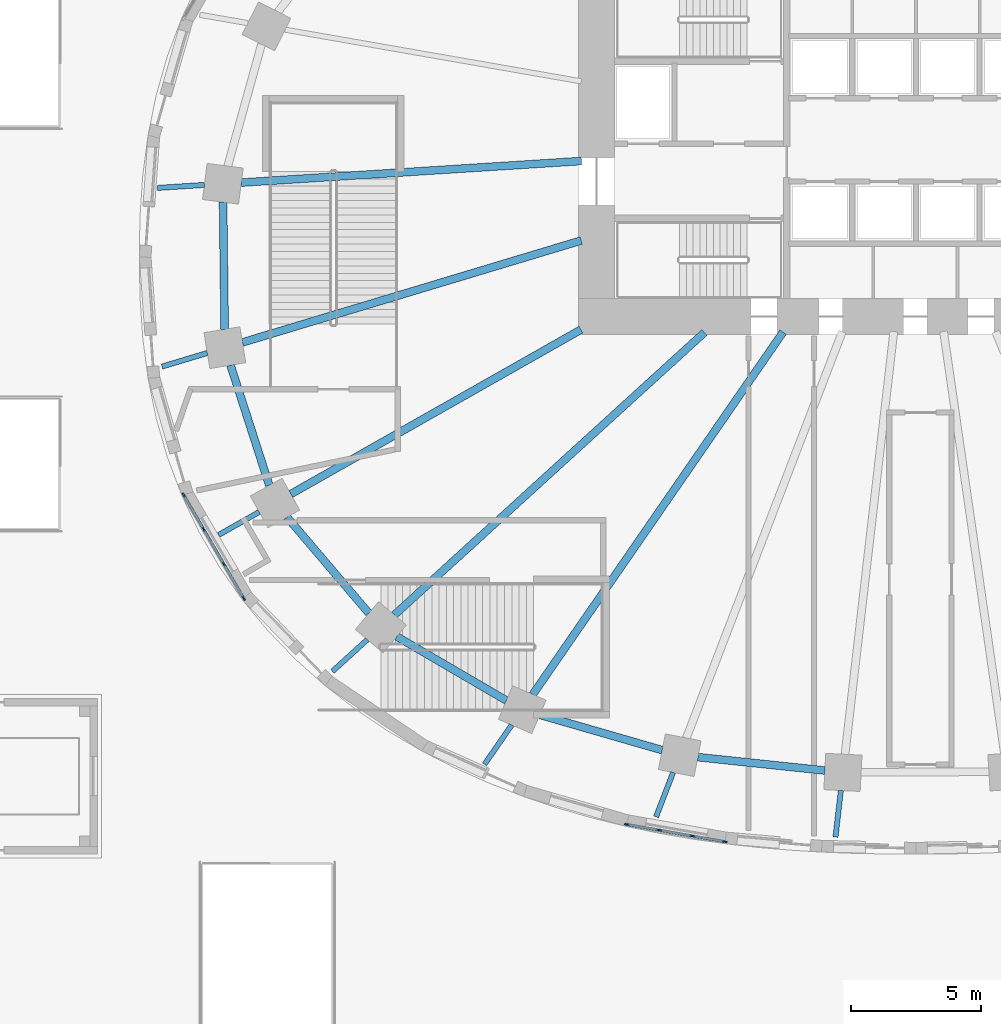
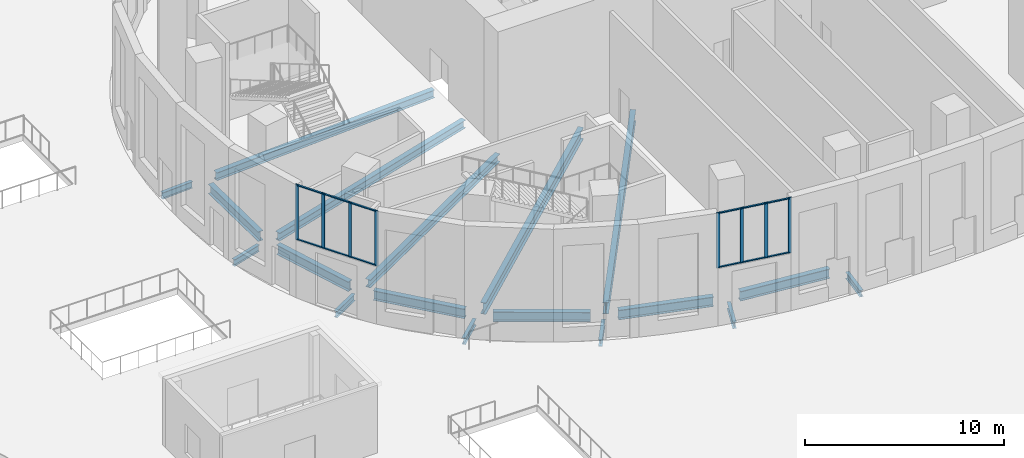
# One storey, part 2 of 27: 20 members, 18 beams, 2 elements without a shape of their own.
"""IFC4 building model written with IfcOpenShell, lengths in metres."""

from ifc_helpers import new_model, si_unit, direction, frame, origin, origin_2d, place, context, subcontext, project, spatial, rectangle, i_section, extrude, material, material_profile, profile_set, type_object, element, aggregate, save


model = new_model("IFC4")

# Units and contexts
model_context = context("Model", 3, precision=1e-05, world=origin(), true_north=direction((0.0, 1.0)))
body_context = subcontext(model_context, "Body", "Model", "MODEL_VIEW")
ifc_project = project(units=[si_unit("LENGTHUNIT", "METRE"), si_unit("AREAUNIT", "SQUARE_METRE"), si_unit("VOLUMEUNIT", "CUBIC_METRE"), si_unit("PLANEANGLEUNIT", "RADIAN"), si_unit("MASSUNIT", "GRAM", prefix="KILO")], contexts=[model_context])

# Site, building, storey
site_placement = place(None, origin())
site = spatial("IfcSite", under=ifc_project, at=site_placement, CompositionType="ELEMENT")
building_placement = place(site_placement, origin())
building = spatial("IfcBuilding", under=site, at=building_placement, Name="Rubra Terraces Tower", CompositionType="ELEMENT")
storey_placement = place(building_placement, origin())
storey = spatial("IfcBuildingStorey", under=building, at=storey_placement, Name="L00", CompositionType="ELEMENT", Elevation=0.0)

# Beams
ifc_material_1 = material(Name="Steel Q355B", Category="steel")
ifc_material_profile_1 = material_profile(ifc_material_1, i_section(OverallWidth=0.199951171875, OverallDepth=0.39990234375, WebThickness=0.008056640625, FlangeThickness=0.012939453125, at=origin_2d()), Name="HN 400x200x8x13")
ifc_profile_set_1 = profile_set([ifc_material_profile_1], Name="Steel Q355B")
beam_type_1 = type_object("IfcBeamType", Name="CANTILEVER BEAM HN 400x200x8x13", PredefinedType="BEAM", material=ifc_profile_set_1)
beam_1_placement = place(storey_placement, frame((-27.39599609375, 2.762939453125, -0.550048828125), z_axis=(-0.997981102524, -0.063511565909, 0.0), x_axis=(0.063511565909, -0.997981102524, 0.0)))
element("IfcBeam", 1, at=beam_1_placement, inside=storey, type_object=beam_type_1, Name="beam-L00-cant-12", PredefinedType="BEAM", context=body_context, shape_type="SweptSolid", body=[
    extrude(i_section(OverallWidth=0.199951171875, OverallDepth=0.39990234375, WebThickness=0.008056640625, FlangeThickness=0.012939453125, at=origin_2d()), origin(), (0.0, 0.0, 1.0), 1.810546875),
])
beam_2_placement = place(storey_placement, frame((-27.281005859375, -3.7060546875, -0.550048828125), z_axis=(-0.95756392402, -0.28822097671, 0.0), x_axis=(0.28822097671, -0.95756392402, 0.0)))
element("IfcBeam", 2, at=beam_2_placement, inside=storey, type_object=beam_type_1, Name="beam-L00-cant-13", PredefinedType="BEAM", context=body_context, shape_type="SweptSolid", body=[
    extrude(i_section(OverallWidth=0.199951171875, OverallDepth=0.39990234375, WebThickness=0.008056640625, FlangeThickness=0.012939453125, at=origin_2d()), origin(), (0.0, 0.0, 1.0), 1.8212890625),
])
beam_3_placement = place(storey_placement, frame((-25.284912109375, -9.827880859375, -0.550048828125), z_axis=(-0.86992838688, -0.493178062873, 0.0), x_axis=(0.493178062873, -0.86992838688, 0.0)))
element("IfcBeam", 3, at=beam_3_placement, inside=storey, type_object=beam_type_1, Name="beam-L00-cant-14", PredefinedType="BEAM", context=body_context, shape_type="SweptSolid", body=[
    extrude(i_section(OverallWidth=0.199951171875, OverallDepth=0.39990234375, WebThickness=0.008056640625, FlangeThickness=0.012939453125, at=origin_2d()), origin(), (0.0, 0.0, 1.0), 1.78662109375),
])
beam_4_placement = place(storey_placement, frame((-21.1220703125, -14.741943359375, -0.550048828125), z_axis=(-0.739575224106, -0.673073909677, 0.0), x_axis=(0.673073909677, -0.739575224106, 0.0)))
element("IfcBeam", 4, at=beam_4_placement, inside=storey, type_object=beam_type_1, Name="beam-L00-cant-15", PredefinedType="BEAM", context=body_context, shape_type="SweptSolid", body=[
    extrude(i_section(OverallWidth=0.199951171875, OverallDepth=0.39990234375, WebThickness=0.008056640625, FlangeThickness=0.012939453125, at=origin_2d()), origin(), (0.0, 0.0, 1.0), 1.817138671875),
])
beam_5_placement = place(storey_placement, frame((-15.56298828125, -18.029052734375, -0.550048828125), z_axis=(-0.568402477444, -0.822750644871, 0.0), x_axis=(0.822750644871, -0.568402477444, 0.0)))
element("IfcBeam", 5, at=beam_5_placement, inside=storey, type_object=beam_type_1, Name="beam-L00-cant-16", PredefinedType="BEAM", context=body_context, shape_type="SweptSolid", body=[
    extrude(i_section(OverallWidth=0.199951171875, OverallDepth=0.39990234375, WebThickness=0.008056640625, FlangeThickness=0.012939453125, at=origin_2d()), origin(), (0.0, 0.0, 1.0), 1.840087890625),
])
beam_6_placement = place(storey_placement, frame((-9.34912109375, -19.85498046875, -0.550048828125), z_axis=(-0.358291983639, -0.93360958353, 0.0), x_axis=(0.93360958353, -0.358291983639, 0.0)))
element("IfcBeam", 6, at=beam_6_placement, inside=storey, type_object=beam_type_1, Name="beam-L00-cant-17", PredefinedType="BEAM", context=body_context, shape_type="SweptSolid", body=[
    extrude(i_section(OverallWidth=0.199951171875, OverallDepth=0.39990234375, WebThickness=0.008056640625, FlangeThickness=0.012939453125, at=origin_2d()), origin(), (0.0, 0.0, 1.0), 1.833740234375),
])
beam_7_placement = place(storey_placement, frame((-2.89111328125, -20.551025390625, -0.550048828125), z_axis=(-0.114572764889, -0.99341485873, 0.0), x_axis=(0.99341485873, -0.114572764889, 0.0)))
element("IfcBeam", 7, at=beam_7_placement, inside=storey, type_object=beam_type_1, Name="beam-L00-cant-18", PredefinedType="BEAM", context=body_context, shape_type="SweptSolid", body=[
    extrude(i_section(OverallWidth=0.199951171875, OverallDepth=0.39990234375, WebThickness=0.008056640625, FlangeThickness=0.012939453125, at=origin_2d()), origin(), (0.0, 0.0, 1.0), 1.804931640625),
])

# Curtain wall, members
ifc_material_2 = material(Name="Aluminium and glass", Category="aluminium")
curtain_wall_type = type_object("IfcCurtainWallType", Name="Curtain wall Entrance screen glazing", PredefinedType="NOTDEFINED", material=ifc_material_2)
curtain_wall_1_placement = place(storey_placement, origin())
curtain_wall_1 = element("IfcCurtainWall", 8, at=curtain_wall_1_placement, inside=storey, type_object=curtain_wall_type, Name="L00 entrance screen bay 23", PredefinedType="NOTDEFINED")
ifc_material_3 = material(Name="Aluminium, anodised dark grey", Category="aluminium")
ifc_material_profile_2 = material_profile(ifc_material_3, rectangle(XDim=0.06005859375, YDim=0.179931640625, at=origin_2d()), Name="AL 60x180")
ifc_profile_set_2 = profile_set([ifc_material_profile_2], Name="Aluminium, anodised dark grey")
member_type_1 = type_object("IfcMemberType", Name="Entrance screen glazing mullion 60 x 180", PredefinedType="MULLION", material=ifc_profile_set_2)
member_1_placement = place(storey_placement, frame((-28.18798828125, -9.17333984375, 3.550048828125), z_axis=(0.0, 0.0, 1.0), x_axis=(0.864813011398, 0.502094070187, 0.0)))
member_1 = element("IfcMember", 9, at=member_1_placement, type_object=member_type_1, Name="CW5 mullion 1", PredefinedType="MULLION", context=body_context, shape_type="SweptSolid", body=[
    extrude(rectangle(XDim=0.06005859375, YDim=0.179931640625, at=origin_2d()), origin(), (0.0, 0.0, 1.0), 3.39990234375),
])
member_2_placement = place(storey_placement, frame((-27.423828125, -10.48974609375, 3.550048828125), z_axis=(0.0, 0.0, 1.0), x_axis=(0.864813011398, 0.502094070187, 0.0)))
member_2 = element("IfcMember", 10, at=member_2_placement, type_object=member_type_1, Name="CW5 mullion 2", PredefinedType="MULLION", context=body_context, shape_type="SweptSolid", body=[
    extrude(rectangle(XDim=0.06005859375, YDim=0.179931640625, at=origin_2d()), origin(), (0.0, 0.0, 1.0), 3.39990234375),
])
member_3_placement = place(storey_placement, frame((-26.64453125, -11.83203125, 3.550048828125), z_axis=(0.0, 0.0, 1.0), x_axis=(0.864813011398, 0.502094070187, 0.0)))
member_3 = element("IfcMember", 11, at=member_3_placement, type_object=member_type_1, Name="CW5 mullion 3", PredefinedType="MULLION", context=body_context, shape_type="SweptSolid", body=[
    extrude(rectangle(XDim=0.06005859375, YDim=0.179931640625, at=origin_2d()), origin(), (0.0, 0.0, 1.0), 3.39990234375),
])
member_4_placement = place(storey_placement, frame((-25.880126953125, -13.1484375, 3.550048828125), z_axis=(0.0, 0.0, 1.0), x_axis=(0.864813011398, 0.502094070187, 0.0)))
member_4 = element("IfcMember", 12, at=member_4_placement, type_object=member_type_1, Name="CW5 mullion 4", PredefinedType="MULLION", context=body_context, shape_type="SweptSolid", body=[
    extrude(rectangle(XDim=0.06005859375, YDim=0.179931640625, at=origin_2d()), origin(), (0.0, 0.0, 1.0), 3.39990234375),
])

curtain_wall_2_placement = place(storey_placement, origin())
curtain_wall_2 = element("IfcCurtainWall", 13, at=curtain_wall_2_placement, inside=storey, type_object=curtain_wall_type, Name="L00 entrance screen bay 28", PredefinedType="NOTDEFINED")
member_5_placement = place(storey_placement, frame((-11.13037109375, -21.859375, 3.550048828125), z_axis=(0.0, 0.0, 1.0), x_axis=(0.172816985997, 0.984953952909, 0.0)))
member_5 = element("IfcMember", 14, at=member_5_placement, type_object=member_type_1, Name="CW5 mullion 1", PredefinedType="MULLION", context=body_context, shape_type="SweptSolid", body=[
    extrude(rectangle(XDim=0.06005859375, YDim=0.179931640625, at=origin_2d()), origin(), (0.0, 0.0, 1.0), 3.39990234375),
])
member_6_placement = place(storey_placement, frame((-9.88330078125, -22.078125, 3.550048828125), z_axis=(0.0, 0.0, 1.0), x_axis=(0.172816985997, 0.984953952909, 0.0)))
member_6 = element("IfcMember", 15, at=member_6_placement, type_object=member_type_1, Name="CW5 mullion 2", PredefinedType="MULLION", context=body_context, shape_type="SweptSolid", body=[
    extrude(rectangle(XDim=0.06005859375, YDim=0.179931640625, at=origin_2d()), origin(), (0.0, 0.0, 1.0), 3.39990234375),
])
member_7_placement = place(storey_placement, frame((-8.606689453125, -22.302001953125, 3.550048828125), z_axis=(0.0, 0.0, 1.0), x_axis=(0.172816985997, 0.984953952909, 0.0)))
member_7 = element("IfcMember", 16, at=member_7_placement, type_object=member_type_1, Name="CW5 mullion 3", PredefinedType="MULLION", context=body_context, shape_type="SweptSolid", body=[
    extrude(rectangle(XDim=0.06005859375, YDim=0.179931640625, at=origin_2d()), origin(), (0.0, 0.0, 1.0), 3.39990234375),
])
member_8_placement = place(storey_placement, frame((-7.359619140625, -22.52099609375, 3.550048828125), z_axis=(0.0, 0.0, 1.0), x_axis=(0.172816985997, 0.984953952909, 0.0)))
member_8 = element("IfcMember", 17, at=member_8_placement, type_object=member_type_1, Name="CW5 mullion 4", PredefinedType="MULLION", context=body_context, shape_type="SweptSolid", body=[
    extrude(rectangle(XDim=0.06005859375, YDim=0.179931640625, at=origin_2d()), origin(), (0.0, 0.0, 1.0), 3.39990234375),
])

# Member
ifc_material_profile_3 = material_profile(ifc_material_3, rectangle(XDim=0.10009765625, YDim=0.06005859375, at=origin_2d()), Name="AL 100x60")
ifc_profile_set_3 = profile_set([ifc_material_profile_3], Name="Aluminium, anodised dark grey")
member_type_2 = type_object("IfcMemberType", Name="Entrance screen glazing transom 100 x 60", PredefinedType="USERDEFINED", material=ifc_profile_set_3)
member_9_placement = place(storey_placement, frame((-28.173095703125, -9.19921875, 3.60009765625), z_axis=(0.502240242375, -0.864728130073, 0.0), x_axis=(0.864728130073, 0.502240242375, 0.0)))
member_9 = element("IfcMember", 18, at=member_9_placement, type_object=member_type_2, Name="CW5 transom 1.1", ObjectType="TRANSOM", PredefinedType="USERDEFINED", context=body_context, shape_type="SweptSolid", body=[
    extrude(rectangle(XDim=0.10009765625, YDim=0.06005859375, at=origin_2d()), origin(), (0.0, 0.0, 1.0), 1.462158203125),
])

member_10_placement = place(storey_placement, frame((-28.173095703125, -9.19921875, 6.89990234375), z_axis=(0.502240242375, -0.864728130073, 0.0), x_axis=(0.864728130073, 0.502240242375, 0.0)))
member_10 = element("IfcMember", 19, at=member_10_placement, type_object=member_type_2, Name="CW5 transom 1.2", ObjectType="TRANSOM", PredefinedType="USERDEFINED", context=body_context, shape_type="SweptSolid", body=[
    extrude(rectangle(XDim=0.10009765625, YDim=0.06005859375, at=origin_2d()), origin(), (0.0, 0.0, 1.0), 1.462158203125),
])

member_11_placement = place(storey_placement, frame((-27.40869140625, -10.515625, 3.60009765625), z_axis=(0.502171043743, -0.864768317427, 0.0), x_axis=(0.864768317427, 0.502171043743, 0.0)))
member_11 = element("IfcMember", 20, at=member_11_placement, type_object=member_type_2, Name="CW5 transom 2.1", ObjectType="TRANSOM", PredefinedType="USERDEFINED", context=body_context, shape_type="SweptSolid", body=[
    extrude(rectangle(XDim=0.10009765625, YDim=0.06005859375, at=origin_2d()), origin(), (0.0, 0.0, 1.0), 1.491943359375),
])

member_12_placement = place(storey_placement, frame((-27.40869140625, -10.515625, 6.89990234375), z_axis=(0.502171043743, -0.864768317427, 0.0), x_axis=(0.864768317427, 0.502171043743, 0.0)))
member_12 = element("IfcMember", 21, at=member_12_placement, type_object=member_type_2, Name="CW5 transom 2.2", ObjectType="TRANSOM", PredefinedType="USERDEFINED", context=body_context, shape_type="SweptSolid", body=[
    extrude(rectangle(XDim=0.10009765625, YDim=0.06005859375, at=origin_2d()), origin(), (0.0, 0.0, 1.0), 1.491943359375),
])

member_13_placement = place(storey_placement, frame((-26.62939453125, -11.85791015625, 3.60009765625), z_axis=(0.502115375433, -0.864800641625, 0.0), x_axis=(0.864800641625, 0.502115375433, 0.0)))
member_13 = element("IfcMember", 22, at=member_13_placement, type_object=member_type_2, Name="CW5 transom 3.1", ObjectType="TRANSOM", PredefinedType="USERDEFINED", context=body_context, shape_type="SweptSolid", body=[
    extrude(rectangle(XDim=0.10009765625, YDim=0.06005859375, at=origin_2d()), origin(), (0.0, 0.0, 1.0), 1.462158203125),
])

member_14_placement = place(storey_placement, frame((-26.62939453125, -11.85791015625, 6.89990234375), z_axis=(0.502115375433, -0.864800641625, 0.0), x_axis=(0.864800641625, 0.502115375433, 0.0)))
member_14 = element("IfcMember", 23, at=member_14_placement, type_object=member_type_2, Name="CW5 transom 3.2", ObjectType="TRANSOM", PredefinedType="USERDEFINED", context=body_context, shape_type="SweptSolid", body=[
    extrude(rectangle(XDim=0.10009765625, YDim=0.06005859375, at=origin_2d()), origin(), (0.0, 0.0, 1.0), 1.462158203125),
])

aggregate(curtain_wall_1, [member_1, member_2, member_3, member_4, member_9, member_10, member_11, member_12, member_13, member_14])

member_15_placement = place(storey_placement, frame((-11.100830078125, -21.864501953125, 3.60009765625), z_axis=(0.984946143475, -0.172861489216, 0.0), x_axis=(0.172861489216, 0.984946143475, 0.0)))
member_15 = element("IfcMember", 24, at=member_15_placement, type_object=member_type_2, Name="CW5 transom 1.1", ObjectType="TRANSOM", PredefinedType="USERDEFINED", context=body_context, shape_type="SweptSolid", body=[
    extrude(rectangle(XDim=0.10009765625, YDim=0.06005859375, at=origin_2d()), origin(), (0.0, 0.0, 1.0), 1.2060546875),
])

member_16_placement = place(storey_placement, frame((-11.100830078125, -21.864501953125, 6.89990234375), z_axis=(0.984946143475, -0.172861489216, 0.0), x_axis=(0.172861489216, 0.984946143475, 0.0)))
member_16 = element("IfcMember", 25, at=member_16_placement, type_object=member_type_2, Name="CW5 transom 1.2", ObjectType="TRANSOM", PredefinedType="USERDEFINED", context=body_context, shape_type="SweptSolid", body=[
    extrude(rectangle(XDim=0.10009765625, YDim=0.06005859375, at=origin_2d()), origin(), (0.0, 0.0, 1.0), 1.2060546875),
])

member_17_placement = place(storey_placement, frame((-9.853759765625, -22.083251953125, 3.60009765625), z_axis=(0.984954075797, -0.172816285607, 0.0), x_axis=(0.172816285607, 0.984954075797, 0.0)))
member_17 = element("IfcMember", 26, at=member_17_placement, type_object=member_type_2, Name="CW5 transom 2.1", ObjectType="TRANSOM", PredefinedType="USERDEFINED", context=body_context, shape_type="SweptSolid", body=[
    extrude(rectangle(XDim=0.10009765625, YDim=0.06005859375, at=origin_2d()), origin(), (0.0, 0.0, 1.0), 1.236083984375),
])

member_18_placement = place(storey_placement, frame((-9.853759765625, -22.083251953125, 6.89990234375), z_axis=(0.984954075797, -0.172816285607, 0.0), x_axis=(0.172816285607, 0.984954075797, 0.0)))
member_18 = element("IfcMember", 27, at=member_18_placement, type_object=member_type_2, Name="CW5 transom 2.2", ObjectType="TRANSOM", PredefinedType="USERDEFINED", context=body_context, shape_type="SweptSolid", body=[
    extrude(rectangle(XDim=0.10009765625, YDim=0.06005859375, at=origin_2d()), origin(), (0.0, 0.0, 1.0), 1.236083984375),
])

member_19_placement = place(storey_placement, frame((-8.5771484375, -22.307373046875, 3.60009765625), z_axis=(0.984980587948, -0.172665113342, 0.0), x_axis=(0.172665113342, 0.984980587948, 0.0)))
member_19 = element("IfcMember", 28, at=member_19_placement, type_object=member_type_2, Name="CW5 transom 3.1", ObjectType="TRANSOM", PredefinedType="USERDEFINED", context=body_context, shape_type="SweptSolid", body=[
    extrude(rectangle(XDim=0.10009765625, YDim=0.06005859375, at=origin_2d()), origin(), (0.0, 0.0, 1.0), 1.2060546875),
])

member_20_placement = place(storey_placement, frame((-8.5771484375, -22.307373046875, 6.89990234375), z_axis=(0.984980587948, -0.172665113342, 0.0), x_axis=(0.172665113342, 0.984980587948, 0.0)))
member_20 = element("IfcMember", 29, at=member_20_placement, type_object=member_type_2, Name="CW5 transom 3.2", ObjectType="TRANSOM", PredefinedType="USERDEFINED", context=body_context, shape_type="SweptSolid", body=[
    extrude(rectangle(XDim=0.10009765625, YDim=0.06005859375, at=origin_2d()), origin(), (0.0, 0.0, 1.0), 1.2060546875),
])

aggregate(curtain_wall_2, [member_5, member_6, member_7, member_8, member_15, member_16, member_17, member_18, member_19, member_20])

# Beams
ifc_material_profile_4 = material_profile(ifc_material_1, i_section(OverallWidth=0.300048828125, OverallDepth=0.48193359375, WebThickness=0.010986328125, FlangeThickness=0.014892578125, at=origin_2d()), Name="HM 482x300x11x15")
ifc_profile_set_4 = profile_set([ifc_material_profile_4], Name="Steel Q355B")
beam_type_2 = type_object("IfcBeamType", Name="FLOOR BEAM HM 482x300x11x15", PredefinedType="BEAM", material=ifc_profile_set_4)
beam_8_placement = place(storey_placement, frame((-25.971923828125, 2.85302734375, -0.591064453125), z_axis=(0.997996052936, 0.06327620662, 0.0), x_axis=(-0.06327620662, 0.997996052936, 0.0)))
element("IfcBeam", 30, at=beam_8_placement, inside=storey, type_object=beam_type_2, Name="beam-L00-floor-12", PredefinedType="BEAM", context=body_context, shape_type="SweptSolid", body=[
    extrude(i_section(OverallWidth=0.300048828125, OverallDepth=0.48193359375, WebThickness=0.010986328125, FlangeThickness=0.014892578125, at=origin_2d()), origin(), (0.0, 0.0, 1.0), 13.118408203125),
])
beam_9_placement = place(storey_placement, frame((-25.928955078125, -3.300048828125, -0.591064453125), z_axis=(0.957605991861, 0.288081176671, 0.0), x_axis=(-0.288081176671, 0.957605991861, 0.0)))
element("IfcBeam", 31, at=beam_9_placement, inside=storey, type_object=beam_type_2, Name="beam-L00-floor-13", PredefinedType="BEAM", context=body_context, shape_type="SweptSolid", body=[
    extrude(i_section(OverallWidth=0.300048828125, OverallDepth=0.48193359375, WebThickness=0.010986328125, FlangeThickness=0.014892578125, at=origin_2d()), origin(), (0.0, 0.0, 1.0), 13.621337890625),
])
beam_10_placement = place(storey_placement, frame((-24.06689453125, -9.137939453125, -0.591064453125), z_axis=(0.869992824144, 0.493064383157, 0.0), x_axis=(-0.493064383157, 0.869992824144, 0.0)))
element("IfcBeam", 32, at=beam_10_placement, inside=storey, type_object=beam_type_2, Name="beam-L00-floor-14", PredefinedType="BEAM", context=body_context, shape_type="SweptSolid", body=[
    extrude(i_section(OverallWidth=0.300048828125, OverallDepth=0.48193359375, WebThickness=0.010986328125, FlangeThickness=0.014892578125, at=origin_2d()), origin(), (0.0, 0.0, 1.0), 12.84033203125),
])
ifc_material_profile_5 = material_profile(ifc_material_1, i_section(OverallWidth=0.300048828125, OverallDepth=0.699951171875, WebThickness=0.012939453125, FlangeThickness=0.02392578125, at=origin_2d()), Name="HN 700x300x13x24")
ifc_profile_set_5 = profile_set([ifc_material_profile_5], Name="Steel Q355B")
beam_type_3 = type_object("IfcBeamType", Name="FLOOR BEAM HN 700x300x13x24", PredefinedType="BEAM", material=ifc_profile_set_5)
beam_11_placement = place(storey_placement, frame((-20.077880859375, -13.7900390625, -0.699951171875), z_axis=(0.739256734846, 0.673423700195, 0.0), x_axis=(-0.673423700195, 0.739256734846, 0.0)))
element("IfcBeam", 33, at=beam_11_placement, inside=storey, type_object=beam_type_3, Name="beam-L00-floor-15", PredefinedType="BEAM", context=body_context, shape_type="SweptSolid", body=[
    extrude(i_section(OverallWidth=0.300048828125, OverallDepth=0.699951171875, WebThickness=0.012939453125, FlangeThickness=0.02392578125, at=origin_2d()), origin(), (0.0, 0.0, 1.0), 16.14306640625),
])
beam_12_placement = place(storey_placement, frame((-14.7509765625, -16.85302734375, -0.699951171875), z_axis=(0.568362941886, 0.822777956858, 0.0), x_axis=(-0.822777956858, 0.568362941886, 0.0)))
element("IfcBeam", 34, at=beam_12_placement, inside=storey, type_object=beam_type_3, Name="beam-L00-floor-16", PredefinedType="BEAM", context=body_context, shape_type="SweptSolid", body=[
    extrude(i_section(OverallWidth=0.300048828125, OverallDepth=0.699951171875, WebThickness=0.012939453125, FlangeThickness=0.02392578125, at=origin_2d()), origin(), (0.0, 0.0, 1.0), 16.957275390625),
])
ifc_material_profile_6 = material_profile(ifc_material_1, i_section(OverallWidth=0.300048828125, OverallDepth=0.587890625, WebThickness=0.011962890625, FlangeThickness=0.02001953125, at=origin_2d()), Name="HM 588x300x12x20")
ifc_profile_set_6 = profile_set([ifc_material_profile_6], Name="Steel Q355B")
beam_type_4 = type_object("IfcBeamType", Name="SPANDREL BEAM HM 588x300x12x20", PredefinedType="SPANDREL", material=ifc_profile_set_6)
beam_13_placement = place(storey_placement, frame((-26.675048828125, 2.10107421875, -0.64404296875), z_axis=(0.012465372298, -0.999922304228, 0.0), x_axis=(0.999922304228, 0.012465372298, 0.0)))
element("IfcBeam", 35, at=beam_13_placement, inside=storey, type_object=beam_type_4, Name="beam-L00-spandrel-12", PredefinedType="SPANDREL", context=body_context, shape_type="SweptSolid", body=[
    extrude(i_section(OverallWidth=0.300048828125, OverallDepth=0.587890625, WebThickness=0.011962890625, FlangeThickness=0.02001953125, at=origin_2d()), origin(), (0.0, 0.0, 1.0), 4.896484375),
])
beam_14_placement = place(storey_placement, frame((-26.387939453125, -4.177001953125, -0.64404296875), z_axis=(0.30706880261, -0.951687317591, 0.0), x_axis=(0.951687317591, 0.30706880261, 0.0)))
element("IfcBeam", 36, at=beam_14_placement, inside=storey, type_object=beam_type_4, Name="beam-L00-spandrel-13", PredefinedType="SPANDREL", context=body_context, shape_type="SweptSolid", body=[
    extrude(i_section(OverallWidth=0.300048828125, OverallDepth=0.587890625, WebThickness=0.011962890625, FlangeThickness=0.02001953125, at=origin_2d()), origin(), (0.0, 0.0, 1.0), 4.86181640625),
])
beam_15_placement = place(storey_placement, frame((-24.212890625, -10.02587890625, -0.64404296875), z_axis=(0.648447050824, -0.761259760054, 0.0), x_axis=(0.761259760054, 0.648447050824, 0.0)))
element("IfcBeam", 37, at=beam_15_placement, inside=storey, type_object=beam_type_4, Name="beam-L00-spandrel-14", PredefinedType="SPANDREL", context=body_context, shape_type="SweptSolid", body=[
    extrude(i_section(OverallWidth=0.300048828125, OverallDepth=0.587890625, WebThickness=0.011962890625, FlangeThickness=0.02001953125, at=origin_2d()), origin(), (0.0, 0.0, 1.0), 4.860595703125),
])
beam_16_placement = place(storey_placement, frame((-19.987060546875, -14.6240234375, -0.64404296875), z_axis=(0.863806081452, -0.503824427402, 0.0), x_axis=(0.503824427402, 0.863806081452, 0.0)))
element("IfcBeam", 38, at=beam_16_placement, inside=storey, type_object=beam_type_4, Name="beam-L00-spandrel-15", PredefinedType="SPANDREL", context=body_context, shape_type="SweptSolid", body=[
    extrude(i_section(OverallWidth=0.300048828125, OverallDepth=0.587890625, WebThickness=0.011962890625, FlangeThickness=0.02001953125, at=origin_2d()), origin(), (0.0, 0.0, 1.0), 4.886474609375),
])
beam_17_placement = place(storey_placement, frame((-14.47900390625, -17.636962890625, -0.64404296875), z_axis=(0.960743980202, -0.277436487337, 0.0), x_axis=(0.277436487337, 0.960743980202, 0.0)))
element("IfcBeam", 39, at=beam_17_placement, inside=storey, type_object=beam_type_4, Name="beam-L00-spandrel-16", PredefinedType="SPANDREL", context=body_context, shape_type="SweptSolid", body=[
    extrude(i_section(OverallWidth=0.300048828125, OverallDepth=0.587890625, WebThickness=0.011962890625, FlangeThickness=0.02001953125, at=origin_2d()), origin(), (0.0, 0.0, 1.0), 4.90234375),
])
beam_18_placement = place(storey_placement, frame((-8.39501953125, -19.26611328125, -0.64404296875), z_axis=(0.994495375694, -0.104780473964, 0.0), x_axis=(0.104780473964, 0.994495375694, 0.0)))
element("IfcBeam", 40, at=beam_18_placement, inside=storey, type_object=beam_type_4, Name="beam-L00-spandrel-17", PredefinedType="SPANDREL", context=body_context, shape_type="SweptSolid", body=[
    extrude(i_section(OverallWidth=0.300048828125, OverallDepth=0.587890625, WebThickness=0.011962890625, FlangeThickness=0.02001953125, at=origin_2d()), origin(), (0.0, 0.0, 1.0), 4.9140625),
])

save(model, "model.ifc")
